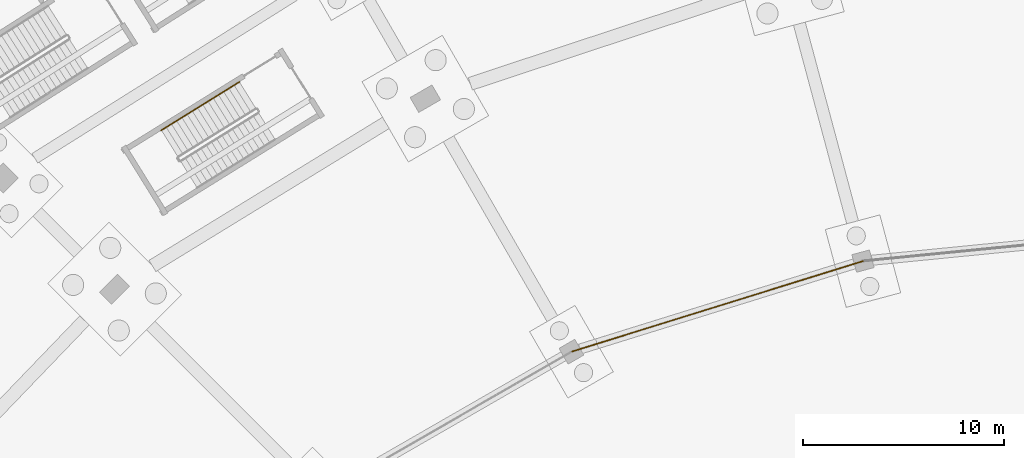
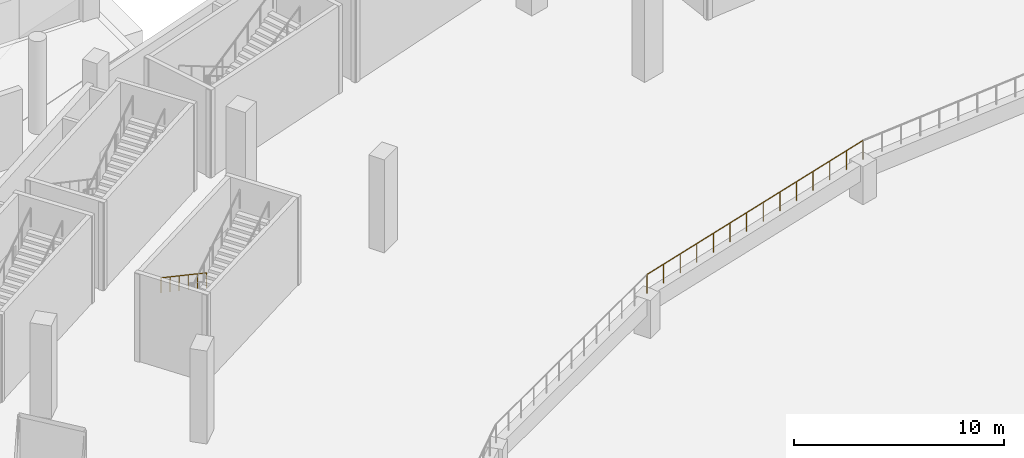
# One storey, part 89 of 103: 2 railings.
"""IFC4 building model written with IfcOpenShell, lengths in metres."""

from ifc_helpers import new_model, si_unit, direction, frame, origin, origin_2d, place, context, subcontext, project, spatial, circle, extrude, material, type_object, element, save


model = new_model("IFC4")

# Units and contexts
model_context = context("Model", 3, precision=1e-05, world=origin(), true_north=direction((0.0, 1.0)))
body_context = subcontext(model_context, "Body", "Model", "MODEL_VIEW")
ifc_project = project(units=[si_unit("LENGTHUNIT", "METRE"), si_unit("AREAUNIT", "SQUARE_METRE"), si_unit("VOLUMEUNIT", "CUBIC_METRE"), si_unit("PLANEANGLEUNIT", "RADIAN"), si_unit("MASSUNIT", "GRAM", prefix="KILO")], contexts=[model_context])

# Site, building, storey
site_placement = place(None, origin())
site = spatial("IfcSite", under=ifc_project, at=site_placement, CompositionType="ELEMENT")
building_placement = place(site_placement, origin())
building = spatial("IfcBuilding", under=site, at=building_placement, Name="Zevraka Park Crest Stadium", CompositionType="ELEMENT")
storey_placement = place(building_placement, origin())
storey = spatial("IfcBuildingStorey", under=building, at=storey_placement, Name="L00", CompositionType="ELEMENT", Elevation=0.0)

# Railings
ifc_material_1 = material(Name="Laminated glass and stainless steel sightline bowl guard", Category="steel")
railing_type_1 = type_object("IfcRailingType", Name="GR02", PredefinedType="GUARDRAIL", material=ifc_material_1)
railing_1_placement = place(storey_placement, frame((96.470947265625, 135.467041015625, 2.199951171875)))
element("IfcRailing", 1, at=railing_1_placement, inside=storey, type_object=railing_type_1, Name="Lower Tier Pitch Sightline Guard GR02 07", PredefinedType="GUARDRAIL", context=body_context, shape_type="SweptSolid", body=[
    extrude(circle(Radius=0.02392578125, at=origin_2d()), frame((0.0, 0.0, 1.09619140625), z_axis=(-0.954968624849, -0.296706800655, 0.0), x_axis=(0.296706800655, -0.954968624849, 0.0)), (0.0, 0.0, 1.0), 15.1533203125),
    extrude(circle(Radius=0.02099609375, at=origin_2d()), origin(), (0.0, 0.0, 1.0), 1.072021484375),
    extrude(circle(Radius=0.02099609375, at=origin_2d()), frame((-1.113037109375, -0.345947265625, 0.0)), (0.0, 0.0, 1.0), 1.072021484375),
    extrude(circle(Radius=0.02099609375, at=origin_2d()), frame((-2.226318359375, -0.691650390625, 0.0)), (0.0, 0.0, 1.0), 1.072021484375),
    extrude(circle(Radius=0.02099609375, at=origin_2d()), frame((-3.33935546875, -1.03759765625, 0.0)), (0.0, 0.0, 1.0), 1.072021484375),
    extrude(circle(Radius=0.02099609375, at=origin_2d()), frame((-4.45263671875, -1.38330078125, 0.0)), (0.0, 0.0, 1.0), 1.072021484375),
    extrude(circle(Radius=0.02099609375, at=origin_2d()), frame((-5.565673828125, -1.729248046875, 0.0)), (0.0, 0.0, 1.0), 1.072021484375),
    extrude(circle(Radius=0.02099609375, at=origin_2d()), frame((-6.678955078125, -2.0751953125, 0.0)), (0.0, 0.0, 1.0), 1.072021484375),
    extrude(circle(Radius=0.02099609375, at=origin_2d()), frame((-7.7919921875, -2.4208984375, 0.0)), (0.0, 0.0, 1.0), 1.072021484375),
    extrude(circle(Radius=0.02099609375, at=origin_2d()), frame((-8.9052734375, -2.766845703125, 0.0)), (0.0, 0.0, 1.0), 1.072021484375),
    extrude(circle(Radius=0.02099609375, at=origin_2d()), frame((-10.018310546875, -3.11279296875, 0.0)), (0.0, 0.0, 1.0), 1.072021484375),
    extrude(circle(Radius=0.02099609375, at=origin_2d()), frame((-11.131591796875, -3.45849609375, 0.0)), (0.0, 0.0, 1.0), 1.072021484375),
    extrude(circle(Radius=0.02099609375, at=origin_2d()), frame((-12.24462890625, -3.804443359375, 0.0)), (0.0, 0.0, 1.0), 1.072021484375),
    extrude(circle(Radius=0.02099609375, at=origin_2d()), frame((-13.35791015625, -4.150146484375, 0.0)), (0.0, 0.0, 1.0), 1.072021484375),
    extrude(circle(Radius=0.02099609375, at=origin_2d()), frame((-14.470947265625, -4.49609375, 0.0)), (0.0, 0.0, 1.0), 1.072021484375),
])
ifc_material_2 = material(Name="Brushed stainless steel continuous handrail", Category="steel")
railing_type_2 = type_object("IfcRailingType", Name="HR01", PredefinedType="HANDRAIL", material=ifc_material_2)
railing_2_placement = place(storey_placement, frame((65.5166015625, 144.36474609375, 0.168701171875)))
element("IfcRailing", 2, at=railing_2_placement, inside=storey, type_object=railing_type_2, Name="L00 ST37 stair handrail 1", PredefinedType="HANDRAIL", context=body_context, shape_type="SweptSolid", body=[
    extrude(circle(Radius=0.02392578125, at=origin_2d()), frame((0.0, 0.0, 0.8759765625), z_axis=(-0.743488080984, -0.461370704528, 0.484110056122), x_axis=(0.527276516885, -0.849693753503, 0.0)), (0.0, 0.0, 1.0), 5.228759765625),
    extrude(circle(Radius=0.02099609375, at=origin_2d()), origin(), (0.0, 0.0, 1.0), 0.851806640625),
    extrude(circle(Radius=0.02099609375, at=origin_2d()), frame((-0.777587890625, -0.482421875, 0.50634765625)), (0.0, 0.0, 1.0), 0.851806640625),
    extrude(circle(Radius=0.02099609375, at=origin_2d()), frame((-1.554931640625, -0.96484375, 1.012451171875)), (0.0, 0.0, 1.0), 0.851806640625),
    extrude(circle(Radius=0.02099609375, at=origin_2d()), frame((-2.33251953125, -1.447509765625, 1.518798828125)), (0.0, 0.0, 1.0), 0.851806640625),
    extrude(circle(Radius=0.02099609375, at=origin_2d()), frame((-3.10986328125, -1.929931640625, 2.02490234375)), (0.0, 0.0, 1.0), 0.851806640625),
    extrude(circle(Radius=0.02099609375, at=origin_2d()), frame((-3.887451171875, -2.412353515625, 2.53125)), (0.0, 0.0, 1.0), 0.851806640625),
])

save(model, "model.ifc")
